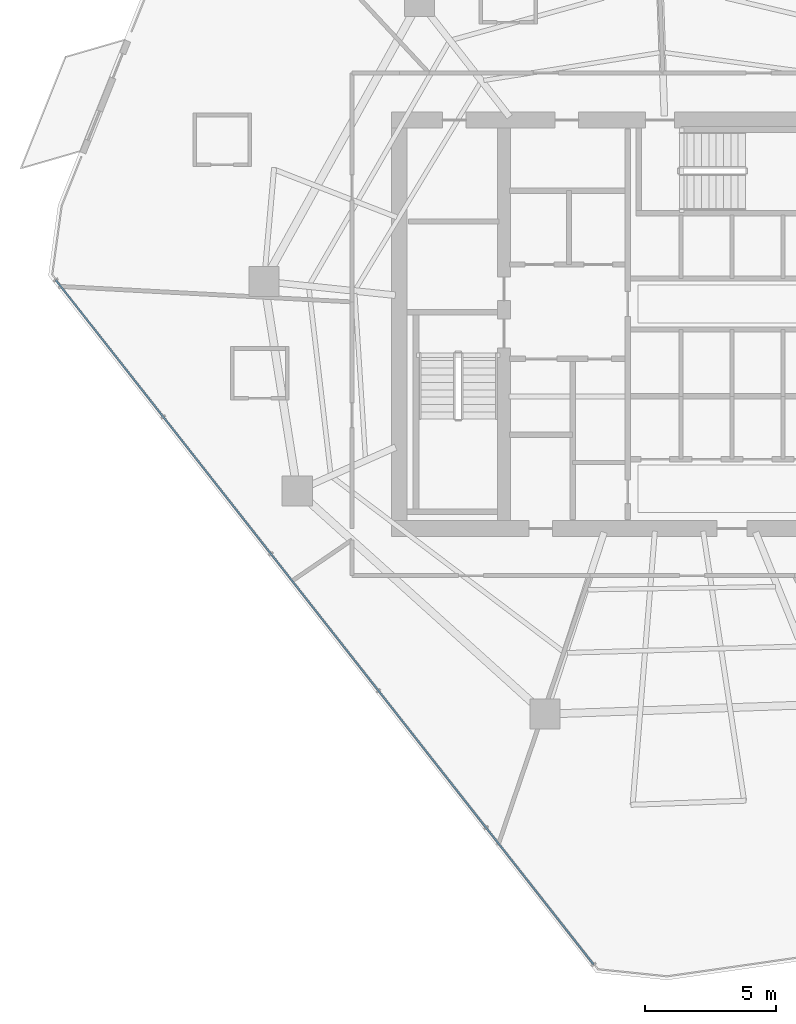
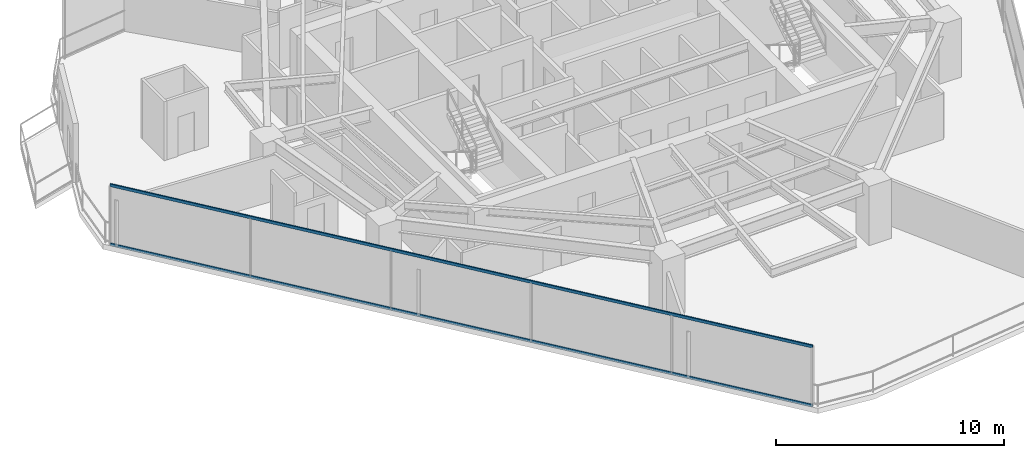
# One storey, part 3 of 29: 2 members, 1 element without a shape of its own.
"""IFC4 building model written with IfcOpenShell, lengths in metres."""

from ifc_helpers import new_model, si_unit, direction, frame, origin, origin_2d, place, context, subcontext, project, spatial, hollow_rectangle, extrude, material, layer, layer_set, material_profile, profile_set, type_object, element, aggregate, save


model = new_model("IFC4")

# Units and contexts
model_context = context("Model", 3, precision=1e-05, world=origin(), true_north=direction((0.0, 1.0)))
body_context = subcontext(model_context, "Body", "Model", "MODEL_VIEW")
ifc_project = project(units=[si_unit("LENGTHUNIT", "METRE"), si_unit("AREAUNIT", "SQUARE_METRE"), si_unit("VOLUMEUNIT", "CUBIC_METRE"), si_unit("PLANEANGLEUNIT", "RADIAN"), si_unit("MASSUNIT", "GRAM", prefix="KILO")], contexts=[model_context])

# Site, building, storey
site_placement = place(None, origin())
site = spatial("IfcSite", under=ifc_project, at=site_placement, CompositionType="ELEMENT")
building_placement = place(site_placement, origin())
building = spatial("IfcBuilding", under=site, at=building_placement, Name="Qarnah Convention Tower", CompositionType="ELEMENT")
storey_placement = place(building_placement, frame((0.0, 0.0, 97.050048828125)))
storey = spatial("IfcBuildingStorey", under=building, at=storey_placement, Name="L25", CompositionType="ELEMENT", Elevation=97.050048828125)

# Curtain wall, members
ifc_material_1 = material(Name="Tempered Low-E dark glass", Category="glass")
ifc_layer = layer(ifc_material_1, 0.169921875)
ifc_layer_set = layer_set([ifc_layer], Name="Tempered Low-E dark glass")
curtain_wall_type = type_object("IfcCurtainWallType", Name="CWS-02", PredefinedType="NOTDEFINED", material=ifc_layer_set)
curtain_wall_placement = place(storey_placement, origin())
curtain_wall = element("IfcCurtainWall", 1, at=curtain_wall_placement, inside=storey, type_object=curtain_wall_type, Name="L25 unitised curtain wall CW-L25-F3", PredefinedType="NOTDEFINED")
ifc_material_2 = material(Name="Black anodised aluminium", Category="aluminium")
ifc_material_profile = material_profile(ifc_material_2, hollow_rectangle(XDim=0.06494140625, YDim=0.14990234375, WallThickness=0.00390625, at=origin_2d()), Name="TRN-65X150")
ifc_profile_set = profile_set([ifc_material_profile], Name="Black anodised aluminium")
member_type = type_object("IfcMemberType", Name="TRN-T2", PredefinedType="USERDEFINED", material=ifc_profile_set)
member_1_placement = place(storey_placement, frame((34.22412109375, 1.951904296875, 0.0), z_axis=(-0.617873440221, 0.786277566683, 0.0), x_axis=(-0.786277566683, -0.617873440221, 0.0)))
member_1 = element("IfcMember", 2, at=member_1_placement, type_object=member_type, Name="CW-L25-F3 transom 1", ObjectType="TRANSOM", PredefinedType="USERDEFINED", context=body_context, shape_type="SweptSolid", body=[
    extrude(hollow_rectangle(XDim=0.06494140625, YDim=0.14990234375, WallThickness=0.00390625, at=origin_2d()), origin(), (0.0, 0.0, 1.0), 33.24658203125),
])
member_2_placement = place(storey_placement, frame((34.22412109375, 1.951904296875, 3.169921875), z_axis=(-0.617873440221, 0.786277566683, 0.0), x_axis=(-0.786277566683, -0.617873440221, 0.0)))
member_2 = element("IfcMember", 3, at=member_2_placement, type_object=member_type, Name="CW-L25-F3 transom 2", ObjectType="TRANSOM", PredefinedType="USERDEFINED", context=body_context, shape_type="SweptSolid", body=[
    extrude(hollow_rectangle(XDim=0.06494140625, YDim=0.14990234375, WallThickness=0.00390625, at=origin_2d()), origin(), (0.0, 0.0, 1.0), 33.24658203125),
])
aggregate(curtain_wall, [member_1, member_2])

save(model, "model.ifc")
